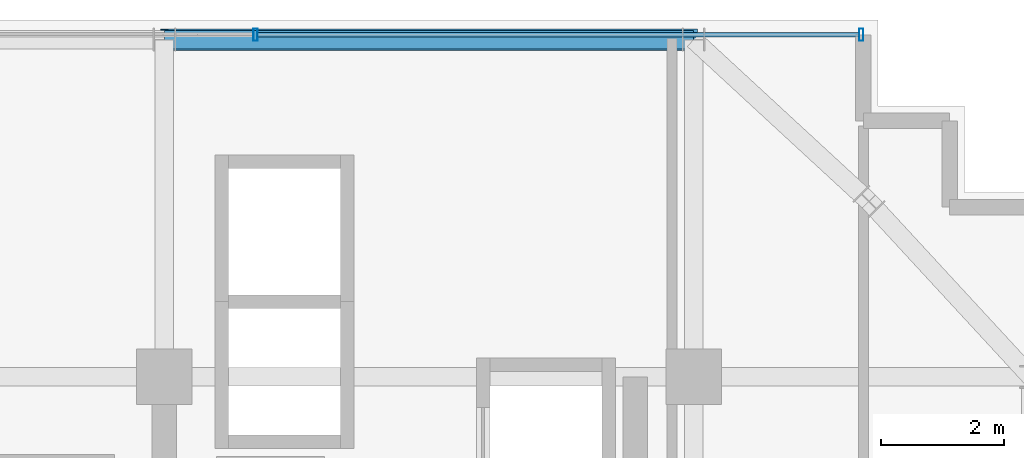
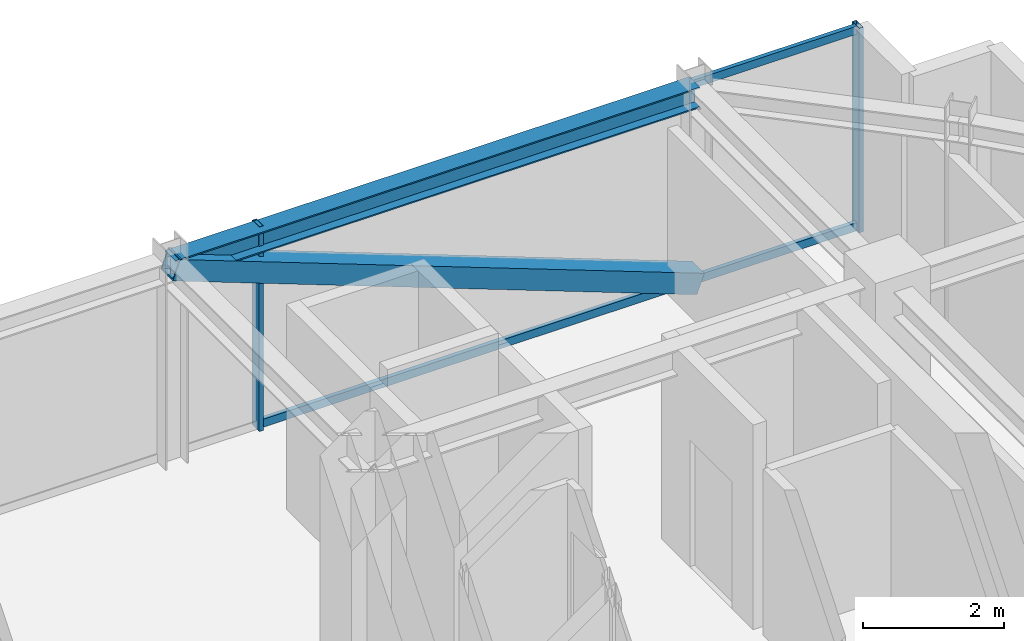
# One storey, part 28 of 37: 5 members, 1 beam, 1 element without a shape of its own.
"""IFC4 building model written with IfcOpenShell, lengths in metres."""

from ifc_helpers import new_model, si_unit, direction, frame, origin, origin_2d, place, context, subcontext, project, spatial, hollow_rectangle, i_section, extrude, source, transform, mapped, material, material_profile, profile_set, type_object, element, aggregate, save


model = new_model("IFC4")

# Units and contexts
model_context = context("Model", 3, precision=1e-05, world=origin(), true_north=direction((0.0, 1.0)))
body_context = subcontext(model_context, "Body", "Model", "MODEL_VIEW")
ifc_project = project(units=[si_unit("LENGTHUNIT", "METRE"), si_unit("AREAUNIT", "SQUARE_METRE"), si_unit("VOLUMEUNIT", "CUBIC_METRE"), si_unit("PLANEANGLEUNIT", "RADIAN"), si_unit("MASSUNIT", "GRAM", prefix="KILO")], contexts=[model_context])

# Site, building, storey
site_placement = place(None, origin())
site = spatial("IfcSite", under=ifc_project, at=site_placement, CompositionType="ELEMENT")
building_placement = place(site_placement, origin())
building = spatial("IfcBuilding", under=site, at=building_placement, Name="Nahalor Promenade Grand Hotel", CompositionType="ELEMENT")
storey_placement = place(building_placement, frame((0.0, 0.0, 292.64990234375)))
storey = spatial("IfcBuildingStorey", under=building, at=storey_placement, Name="L75", CompositionType="ELEMENT", Elevation=292.64990234375)

# Beam
ifc_material_1 = material(Name="Steel S355JR", Category="steel")
ifc_material_profile_1 = material_profile(ifc_material_1, i_section(OverallWidth=0.3, OverallDepth=0.36, WebThickness=0.0125, FlangeThickness=0.0225, at=origin_2d()), Name="HEB 360")
ifc_profile_set_1 = profile_set([ifc_material_profile_1], Name="Steel S355JR")
beam_type = type_object("IfcBeamType", Name="Beam-Spandrel-HEB360", PredefinedType="SPANDREL", material=ifc_profile_set_1)
shared_shape_1 = source(origin(), body_context, "Body", "SweptSolid", [
    extrude(i_section(OverallWidth=0.3, OverallDepth=0.36, WebThickness=0.0125, FlangeThickness=0.0225, at=origin_2d()), origin(), (0.0, 0.0, 1.0), 8.60009765625),
])
beam_placement = place(storey_placement, frame((8.39990234375, 22.47998046875, 3.3701171875), z_axis=(1.0, 0.0, 0.0), x_axis=(0.0, 1.0, 0.0)))
element("IfcBeam", 1, at=beam_placement, inside=storey, type_object=beam_type, Name="BM-L75-SP-N-4", PredefinedType="SPANDREL", context=body_context, shape_type="MappedRepresentation", body=[
    mapped(shared_shape_1, transform((0.0, 0.0, 0.0), scale=1.0)),
])

# Member
ifc_material_profile_2 = material_profile(ifc_material_1, hollow_rectangle(XDim=0.35, YDim=0.35, WallThickness=0.02, at=origin_2d()), Name="SHS 350x350x20")
ifc_profile_set_2 = profile_set([ifc_material_profile_2], Name="Steel S355JR")
member_type_1 = type_object("IfcMemberType", Name="Mem-VoidBrace-SHS350", PredefinedType="BRACE", material=ifc_profile_set_2)
shared_shape_2 = source(origin(), body_context, "Body", "SweptSolid", [
    extrude(hollow_rectangle(XDim=0.35, YDim=0.35, WallThickness=0.02, at=origin_2d()), origin(), (0.0, 0.0, 1.0), 9.193603515625),
])
member_1_placement = place(storey_placement, frame((17.0, 22.47998046875, 0.150146484375), z_axis=(-0.935433460247, 0.0, 0.353502816749), x_axis=(0.0, -1.0, 0.0)))
element("IfcMember", 2, at=member_1_placement, inside=storey, type_object=member_type_1, Name="EXO-L75-N-1", PredefinedType="BRACE", context=body_context, shape_type="MappedRepresentation", body=[
    mapped(shared_shape_2, transform((0.0, 0.0, 0.0), scale=1.0)),
])

# Curtain wall, members
ifc_material_2 = material(Name="Anodised Bronze Aluminium EN AW-6063 T6", Category="aluminium")
curtain_wall_type = type_object("IfcCurtainWallType", Name="CW3 Elliptical-Void Collar Unitised Curtain Wall", PredefinedType="USERDEFINED", material=ifc_material_2)
curtain_wall_placement = place(storey_placement, origin())
curtain_wall = element("IfcCurtainWall", 3, at=curtain_wall_placement, inside=storey, type_object=curtain_wall_type, Name="L75 Curtain Wall CW-L75-N-1", ObjectType="UNITISED_CURTAIN_WALL", PredefinedType="USERDEFINED")
ifc_material_profile_3 = material_profile(ifc_material_2, hollow_rectangle(XDim=0.07, YDim=0.14, WallThickness=0.004, at=origin_2d()), Name="CWT 70x140x4")
ifc_profile_set_3 = profile_set([ifc_material_profile_3], Name="Anodised Bronze Aluminium EN AW-6063 T6")
member_type_2 = type_object("IfcMemberType", Name="CWT3 Void Collar Transom 70x140", PredefinedType="USERDEFINED", material=ifc_profile_set_3)
shared_shape_3 = source(origin(), body_context, "Body", "SweptSolid", [
    extrude(hollow_rectangle(XDim=0.07, YDim=0.14, WallThickness=0.004, at=origin_2d()), origin(), (0.0, 0.0, 1.0), 9.77490234375),
])
member_2_placement = place(storey_placement, frame((9.9150390625, 22.56005859375, 0.070068359375), z_axis=(1.0, 0.0, 0.0), x_axis=(0.0, 1.0, 0.0)))
member_2 = element("IfcMember", 4, at=member_2_placement, type_object=member_type_2, Name="CW-L75-N-1 Transom 3-0", ObjectType="TRANSOM", PredefinedType="USERDEFINED", context=body_context, shape_type="MappedRepresentation", body=[
    mapped(shared_shape_3, transform((0.0, 0.0, 0.0), scale=1.0)),
])
member_3_placement = place(storey_placement, frame((9.9150390625, 22.56005859375, 3.47998046875), z_axis=(1.0, 0.0, 0.0), x_axis=(0.0, 1.0, 0.0)))
member_3 = element("IfcMember", 5, at=member_3_placement, type_object=member_type_2, Name="CW-L75-N-1 Transom 3-1", ObjectType="TRANSOM", PredefinedType="USERDEFINED", context=body_context, shape_type="MappedRepresentation", body=[
    mapped(shared_shape_3, transform((0.0, 0.0, 0.0), scale=1.0)),
])
ifc_material_profile_4 = material_profile(ifc_material_2, hollow_rectangle(XDim=0.07, YDim=0.2, WallThickness=0.005, at=origin_2d()), Name="CWM 70x200x5")
ifc_profile_set_4 = profile_set([ifc_material_profile_4], Name="Anodised Bronze Aluminium EN AW-6063 T6")
member_type_3 = type_object("IfcMemberType", Name="CWM3 Void Collar Mullion 70x200", PredefinedType="MULLION", material=ifc_profile_set_4)
shared_shape_4 = source(origin(), body_context, "Body", "SweptSolid", [
    extrude(hollow_rectangle(XDim=0.07, YDim=0.2, WallThickness=0.005, at=origin_2d()), origin(), (0.0, 0.0, 1.0), 3.550048828125),
])
member_4_placement = place(storey_placement, frame((9.8798828125, 22.56005859375, 0.0), z_axis=(0.0, 0.0, 1.0), x_axis=(1.0, 0.0, 0.0)))
member_4 = element("IfcMember", 6, at=member_4_placement, type_object=member_type_3, Name="CW-L75-N-1 Mullion 3", PredefinedType="MULLION", context=body_context, shape_type="MappedRepresentation", body=[
    mapped(shared_shape_4, transform((0.0, 0.0, 0.0), scale=1.0)),
])
member_5_placement = place(storey_placement, frame((19.72509765625, 22.56005859375, 0.0), z_axis=(0.0, 0.0, 1.0), x_axis=(1.0, 0.0, 0.0)))
member_5 = element("IfcMember", 7, at=member_5_placement, type_object=member_type_3, Name="CW-L75-N-1 Mullion 4", PredefinedType="MULLION", context=body_context, shape_type="MappedRepresentation", body=[
    mapped(shared_shape_4, transform((0.0, 0.0, 0.0), scale=1.0)),
])
aggregate(curtain_wall, [member_4, member_5, member_2, member_3])

save(model, "model.ifc")
